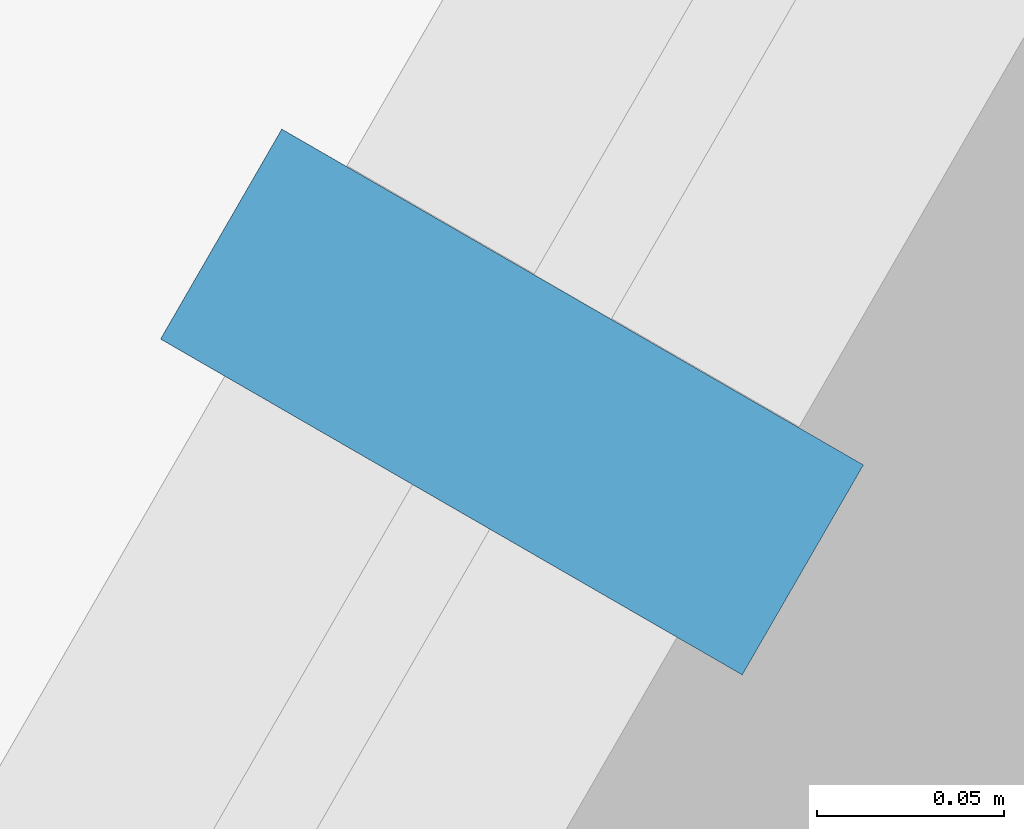
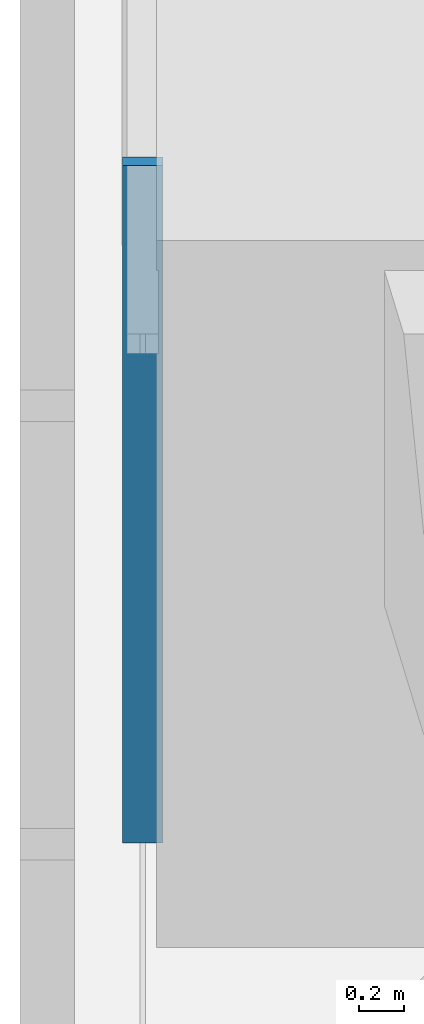
# One storey, part 141 of 256: 1 member, 1 element without a shape of its own.
"""IFC4 building model written with IfcOpenShell, lengths in metres."""

from ifc_helpers import new_model, si_unit, direction, frame, origin, origin_2d, place, context, subcontext, project, spatial, rectangle, extrude, material, material_profile, profile_set, type_object, element, aggregate, save


model = new_model("IFC4")

# Units and contexts
model_context = context("Model", 3, precision=1e-05, world=origin(), true_north=direction((0.0, 1.0)))
body_context = subcontext(model_context, "Body", "Model", "MODEL_VIEW")
ifc_project = project(units=[si_unit("LENGTHUNIT", "METRE"), si_unit("AREAUNIT", "SQUARE_METRE"), si_unit("VOLUMEUNIT", "CUBIC_METRE"), si_unit("PLANEANGLEUNIT", "RADIAN"), si_unit("MASSUNIT", "GRAM", prefix="KILO")], contexts=[model_context])

# Site, building, storey
site_placement = place(None, origin())
site = spatial("IfcSite", under=ifc_project, at=site_placement, CompositionType="ELEMENT")
building_placement = place(site_placement, origin())
building = spatial("IfcBuilding", under=site, at=building_placement, Name="Sandreach Pilgrim Tower", CompositionType="ELEMENT")
storey_placement = place(building_placement, frame((0.0, 0.0, 23.0)))
storey = spatial("IfcBuildingStorey", under=building, at=storey_placement, Name="L04", CompositionType="ELEMENT", Elevation=23.0)

# Curtain wall, member
ifc_material_1 = material(Name="Aluminium framed curtain wall", Category="aluminium")
curtain_wall_type = type_object("IfcCurtainWallType", Name="Hostel tower curtain wall", PredefinedType="NOTDEFINED", material=ifc_material_1)
curtain_wall_placement = place(storey_placement, origin())
curtain_wall = element("IfcCurtainWall", 1, at=curtain_wall_placement, inside=storey, type_object=curtain_wall_type, Name="CW-1 L04 NW", PredefinedType="NOTDEFINED")
ifc_material_2 = material(Name="Aluminium extrusion", Category="aluminium")
ifc_material_profile = material_profile(ifc_material_2, rectangle(XDim=0.06494140625, YDim=0.179931640625, at=origin_2d()), Name="CW-1M 65X180")
ifc_profile_set = profile_set([ifc_material_profile], Name="Aluminium extrusion")
member_type = type_object("IfcMemberType", Name="CW-1 mullion", PredefinedType="MULLION", material=ifc_profile_set)
member_placement = place(storey_placement, frame((-28.283203125, 11.03369140625, 0.0), z_axis=(0.0, 0.0, 1.0), x_axis=(0.5, 0.866025403784, 0.0)))
member = element("IfcMember", 2, at=member_placement, type_object=member_type, Name="CW-1 mullion 2", PredefinedType="MULLION", context=body_context, shape_type="SweptSolid", body=[
    extrude(rectangle(XDim=0.06494140625, YDim=0.179931640625, at=origin_2d()), origin(), (0.0, 0.0, 1.0), 3.639892578125),
])
aggregate(curtain_wall, [member])

save(model, "model.ifc")
